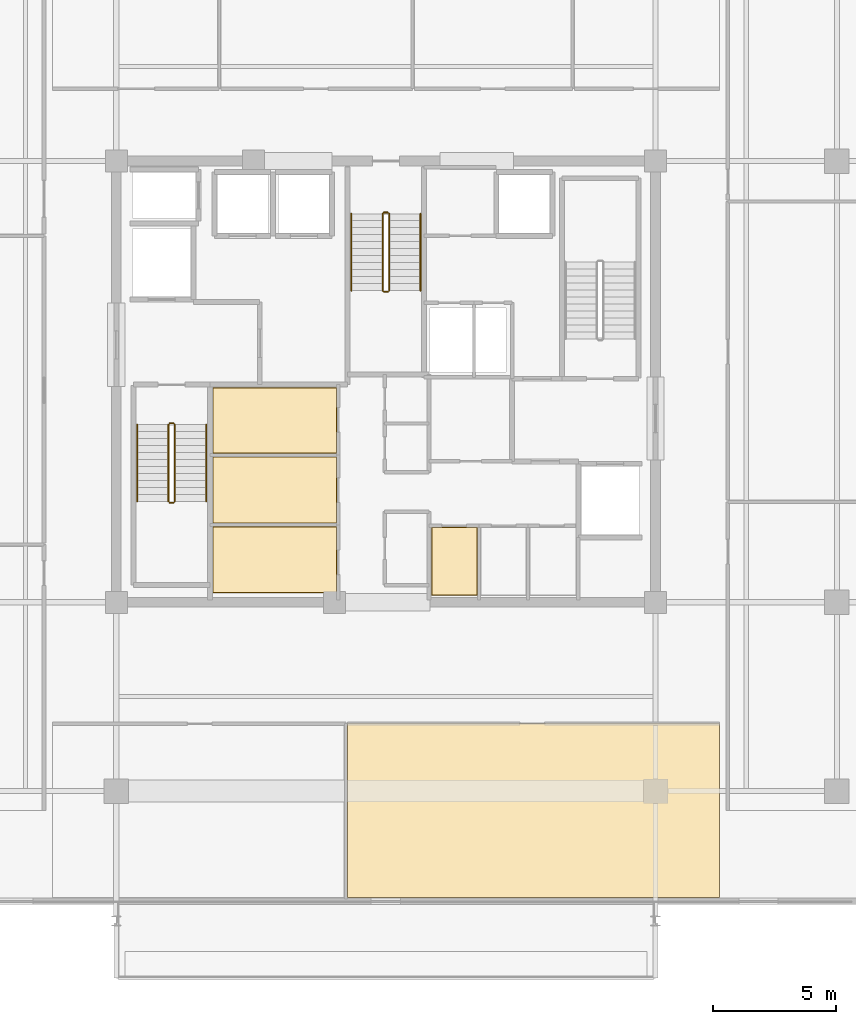
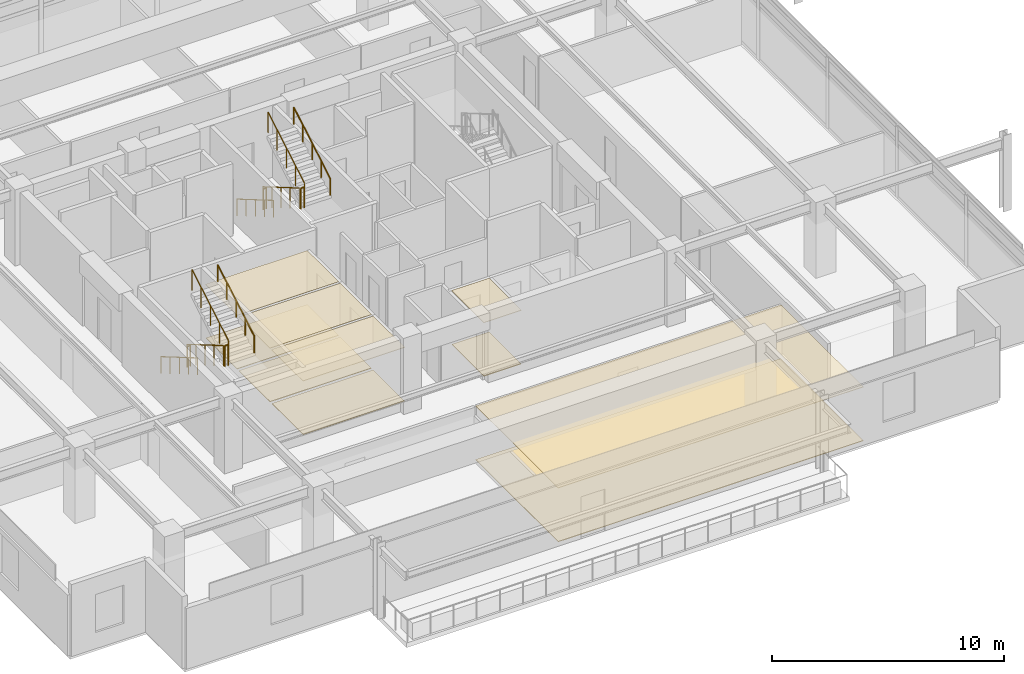
# One storey, part 18 of 20: 12 railings, 10 coverings.
"""IFC4 building model written with IfcOpenShell, lengths in metres."""

from ifc_helpers import new_model, si_unit, direction, frame, origin, origin_2d, place, context, subcontext, project, spatial, polyline, circle, outline, extrude, material, layer, layer_set, type_object, element, save


model = new_model("IFC4")

# Units and contexts
model_context = context("Model", 3, precision=1e-05, world=origin(), true_north=direction((0.0, 1.0)))
body_context = subcontext(model_context, "Body", "Model", "MODEL_VIEW")
ifc_project = project(units=[si_unit("LENGTHUNIT", "METRE"), si_unit("AREAUNIT", "SQUARE_METRE"), si_unit("VOLUMEUNIT", "CUBIC_METRE"), si_unit("PLANEANGLEUNIT", "RADIAN"), si_unit("MASSUNIT", "GRAM", prefix="KILO")], contexts=[model_context])

# Site, building, storey
site_placement = place(None, origin())
site = spatial("IfcSite", under=ifc_project, at=site_placement, CompositionType="ELEMENT")
building_placement = place(site_placement, origin())
building = spatial("IfcBuilding", under=site, at=building_placement, Name="Kovane Verandah Tower", CompositionType="ELEMENT")
storey_placement = place(building_placement, frame((0.0, 0.0, 306.800048828125)))
storey = spatial("IfcBuildingStorey", under=building, at=storey_placement, Name="L71", CompositionType="ELEMENT", Elevation=306.800048828125)

# Coverings
ifc_material_1 = material(Name="Perforated Acoustic Mineral-Fibre Ceiling Tile", Category="gypsum")
ifc_layer_1 = layer(ifc_material_1, 0.02490234375)
ifc_layer_set_1 = layer_set([ifc_layer_1], Name="Perforated Acoustic Mineral-Fibre Ceiling Tile")
covering_type_1 = type_object("IfcCoveringType", Name="CV-CEIL-25", PredefinedType="CEILING", material=ifc_layer_set_1)
covering_1_placement = place(storey_placement, frame((0.0, 0.0, 2.824951171875)))
element("IfcCovering", 1, at=covering_1_placement, inside=storey, type_object=covering_type_1, Name="L71 Project Archive Room Acoustic Ceiling", PredefinedType="CEILING", context=body_context, shape_type="SweptSolid", body=[
    extrude(outline(polyline([(32.93505859375, 18.885009765625), (37.9951171875, 18.885009765625), (37.9951171875, 21.594970703125), (32.93505859375, 21.594970703125), (32.93505859375, 18.885009765625)])), origin(), (0.0, 0.0, 1.0), 0.02490234375),
])
covering_2_placement = place(storey_placement, frame((0.0, 0.0, 2.824951171875)))
element("IfcCovering", 2, at=covering_2_placement, inside=storey, type_object=covering_type_1, Name="L71 First Aid and Wellness Room Acoustic Ceiling", PredefinedType="CEILING", context=body_context, shape_type="SweptSolid", body=[
    extrude(outline(polyline([(32.93505859375, 21.72509765625), (37.9951171875, 21.72509765625), (37.9951171875, 24.43505859375), (32.93505859375, 24.43505859375), (32.93505859375, 21.72509765625)])), origin(), (0.0, 0.0, 1.0), 0.02490234375),
])
covering_3_placement = place(storey_placement, frame((0.0, 0.0, 2.824951171875)))
element("IfcCovering", 3, at=covering_3_placement, inside=storey, type_object=covering_type_1, Name="L71 Tea and Copy Hub Acoustic Ceiling", PredefinedType="CEILING", context=body_context, shape_type="SweptSolid", body=[
    extrude(outline(polyline([(32.93505859375, 24.56494140625), (37.9951171875, 24.56494140625), (37.9951171875, 27.264892578125), (32.93505859375, 27.264892578125), (32.93505859375, 24.56494140625)])), origin(), (0.0, 0.0, 1.0), 0.02490234375),
])
covering_4_placement = place(storey_placement, frame((0.0, 0.0, 2.824951171875)))
element("IfcCovering", 4, at=covering_4_placement, inside=storey, type_object=covering_type_1, Name="L71 Mail and Copy Room Acoustic Ceiling", PredefinedType="CEILING", context=body_context, shape_type="SweptSolid", body=[
    extrude(outline(polyline([(41.864990234375, 18.784912109375), (43.735107421875, 18.784912109375), (43.735107421875, 21.56494140625), (41.864990234375, 21.56494140625), (41.864990234375, 18.784912109375)])), origin(), (0.0, 0.0, 1.0), 0.02490234375),
])
covering_5_placement = place(storey_placement, frame((0.0, 0.0, 2.824951171875)))
element("IfcCovering", 5, at=covering_5_placement, inside=storey, type_object=covering_type_1, Name="L71 Document and Print Room S2 Acoustic Ceiling", PredefinedType="CEILING", context=body_context, shape_type="SweptSolid", body=[
    extrude(outline(polyline([(38.43798828125, 6.449951171875), (53.60009765625, 6.449951171875), (53.60009765625, 13.550048828125), (38.43798828125, 13.550048828125), (38.43798828125, 6.449951171875)])), origin(), (0.0, 0.0, 1.0), 0.02490234375),
])
ifc_material_2 = material(Name="Polished Terrazzo and Raised-Access Carpet Tile Finish", Category="concrete")
ifc_layer_2 = layer(ifc_material_2, 0.030029296875)
ifc_layer_set_2 = layer_set([ifc_layer_2], Name="Polished Terrazzo and Raised-Access Carpet Tile Finish")
covering_type_2 = type_object("IfcCoveringType", Name="CV-FLOR-30", PredefinedType="FLOORING", material=ifc_layer_set_2)
covering_6_placement = place(storey_placement, origin())
element("IfcCovering", 6, at=covering_6_placement, inside=storey, type_object=covering_type_2, Name="L71 Project Archive Room Floor Finish", PredefinedType="FLOORING", context=body_context, shape_type="SweptSolid", body=[
    extrude(outline(polyline([(32.949951171875, 18.89990234375), (37.97998046875, 18.89990234375), (37.97998046875, 21.580078125), (32.949951171875, 21.580078125), (32.949951171875, 18.89990234375)])), origin(), (0.0, 0.0, 1.0), 0.030029296875),
])
covering_7_placement = place(storey_placement, origin())
element("IfcCovering", 7, at=covering_7_placement, inside=storey, type_object=covering_type_2, Name="L71 First Aid and Wellness Room Floor Finish", PredefinedType="FLOORING", context=body_context, shape_type="SweptSolid", body=[
    extrude(outline(polyline([(32.949951171875, 21.739990234375), (37.97998046875, 21.739990234375), (37.97998046875, 24.419921875), (32.949951171875, 24.419921875), (32.949951171875, 21.739990234375)])), origin(), (0.0, 0.0, 1.0), 0.030029296875),
])
covering_8_placement = place(storey_placement, origin())
element("IfcCovering", 8, at=covering_8_placement, inside=storey, type_object=covering_type_2, Name="L71 Tea and Copy Hub Floor Finish", PredefinedType="FLOORING", context=body_context, shape_type="SweptSolid", body=[
    extrude(outline(polyline([(32.949951171875, 24.580078125), (37.97998046875, 24.580078125), (37.97998046875, 27.25), (32.949951171875, 27.25), (32.949951171875, 24.580078125)])), origin(), (0.0, 0.0, 1.0), 0.030029296875),
])
covering_9_placement = place(storey_placement, origin())
element("IfcCovering", 9, at=covering_9_placement, inside=storey, type_object=covering_type_2, Name="L71 Mail and Copy Room Floor Finish", PredefinedType="FLOORING", context=body_context, shape_type="SweptSolid", body=[
    extrude(outline(polyline([(41.8798828125, 18.800048828125), (43.719970703125, 18.800048828125), (43.719970703125, 21.550048828125), (41.8798828125, 21.550048828125), (41.8798828125, 18.800048828125)])), origin(), (0.0, 0.0, 1.0), 0.030029296875),
])
covering_10_placement = place(storey_placement, origin())
element("IfcCovering", 10, at=covering_10_placement, inside=storey, type_object=covering_type_2, Name="L71 Document and Print Room S2 Floor Finish", PredefinedType="FLOORING", context=body_context, shape_type="SweptSolid", body=[
    extrude(outline(polyline([(38.43798828125, 6.449951171875), (53.60009765625, 6.449951171875), (53.60009765625, 13.550048828125), (38.43798828125, 13.550048828125), (38.43798828125, 6.449951171875)])), origin(), (0.0, 0.0, 1.0), 0.030029296875),
])

# Railings
ifc_material_3 = material(Name="Brushed Stainless Steel Handrail", Category="steel")
railing_type_1 = type_object("IfcRailingType", Name="RL-HAND-920", PredefinedType="HANDRAIL", material=ifc_material_3)
railing_1_placement = place(storey_placement, frame((29.85009765625, 25.75, 0.16650390625)))
element("IfcRailing", 11, at=railing_1_placement, inside=storey, type_object=railing_type_1, Name="L71 ST-01 stair handrail 1", PredefinedType="HANDRAIL", context=body_context, shape_type="SweptSolid", body=[
    extrude(circle(Radius=0.02392578125, at=origin_2d()), frame((0.0, 0.0, 0.8759765625), z_axis=(0.0, -0.863210265497, 0.504844567704), x_axis=(1.0, 0.0, 0.0)), (0.0, 0.0, 1.0), 3.6318359375),
    extrude(circle(Radius=0.02099609375, at=origin_2d()), origin(), (0.0, 0.0, 1.0), 0.851806640625),
    extrude(circle(Radius=0.02099609375, at=origin_2d()), frame((0.0, -0.78369140625, 0.45849609375)), (0.0, 0.0, 1.0), 0.851806640625),
    extrude(circle(Radius=0.02099609375, at=origin_2d()), frame((0.0, -1.5673828125, 0.916748046875)), (0.0, 0.0, 1.0), 0.851806640625),
    extrude(circle(Radius=0.02099609375, at=origin_2d()), frame((0.0, -2.351318359375, 1.375)), (0.0, 0.0, 1.0), 0.851806640625),
    extrude(circle(Radius=0.02099609375, at=origin_2d()), frame((0.0, -3.135009765625, 1.83349609375)), (0.0, 0.0, 1.0), 0.851806640625),
])
railing_2_placement = place(storey_placement, frame((32.669921875, 22.614990234375, 2.16650390625)))
element("IfcRailing", 12, at=railing_2_placement, inside=storey, type_object=railing_type_1, Name="L71 ST-01 stair handrail 2", PredefinedType="HANDRAIL", context=body_context, shape_type="SweptSolid", body=[
    extrude(circle(Radius=0.02392578125, at=origin_2d()), frame((0.0, 0.0, 0.8759765625), z_axis=(0.0, 0.863210265497, 0.504844567704), x_axis=(-1.0, 0.0, 0.0)), (0.0, 0.0, 1.0), 3.6318359375),
    extrude(circle(Radius=0.02099609375, at=origin_2d()), origin(), (0.0, 0.0, 1.0), 0.851806640625),
    extrude(circle(Radius=0.02099609375, at=origin_2d()), frame((0.0, 0.78369140625, 0.45849609375)), (0.0, 0.0, 1.0), 0.851806640625),
    extrude(circle(Radius=0.02099609375, at=origin_2d()), frame((0.0, 1.5673828125, 0.916748046875)), (0.0, 0.0, 1.0), 0.851806640625),
    extrude(circle(Radius=0.02099609375, at=origin_2d()), frame((0.0, 2.351318359375, 1.375)), (0.0, 0.0, 1.0), 0.851806640625),
    extrude(circle(Radius=0.02099609375, at=origin_2d()), frame((0.0, 3.135009765625, 1.83349609375)), (0.0, 0.0, 1.0), 0.851806640625),
])
railing_3_placement = place(storey_placement, frame((38.590087890625, 34.35009765625, 0.16650390625)))
element("IfcRailing", 13, at=railing_3_placement, inside=storey, type_object=railing_type_1, Name="L71 ST-03 stair handrail 1", PredefinedType="HANDRAIL", context=body_context, shape_type="SweptSolid", body=[
    extrude(circle(Radius=0.02392578125, at=origin_2d()), frame((0.0, 0.0, 0.8759765625), z_axis=(0.0, -0.863210265497, 0.504844567704), x_axis=(1.0, 0.0, 0.0)), (0.0, 0.0, 1.0), 3.6318359375),
    extrude(circle(Radius=0.02099609375, at=origin_2d()), origin(), (0.0, 0.0, 1.0), 0.851806640625),
    extrude(circle(Radius=0.02099609375, at=origin_2d()), frame((0.0, -0.78369140625, 0.45849609375)), (0.0, 0.0, 1.0), 0.851806640625),
    extrude(circle(Radius=0.02099609375, at=origin_2d()), frame((0.0, -1.5673828125, 0.916748046875)), (0.0, 0.0, 1.0), 0.851806640625),
    extrude(circle(Radius=0.02099609375, at=origin_2d()), frame((0.0, -2.351318359375, 1.375)), (0.0, 0.0, 1.0), 0.851806640625),
    extrude(circle(Radius=0.02099609375, at=origin_2d()), frame((0.0, -3.135009765625, 1.83349609375)), (0.0, 0.0, 1.0), 0.851806640625),
])
railing_4_placement = place(storey_placement, frame((41.409912109375, 31.215087890625, 2.16650390625)))
element("IfcRailing", 14, at=railing_4_placement, inside=storey, type_object=railing_type_1, Name="L71 ST-03 stair handrail 2", PredefinedType="HANDRAIL", context=body_context, shape_type="SweptSolid", body=[
    extrude(circle(Radius=0.02392578125, at=origin_2d()), frame((0.0, 0.0, 0.8759765625), z_axis=(0.0, 0.863210265497, 0.504844567704), x_axis=(-1.0, 0.0, 0.0)), (0.0, 0.0, 1.0), 3.6318359375),
    extrude(circle(Radius=0.02099609375, at=origin_2d()), origin(), (0.0, 0.0, 1.0), 0.851806640625),
    extrude(circle(Radius=0.02099609375, at=origin_2d()), frame((0.0, 0.78369140625, 0.45849609375)), (0.0, 0.0, 1.0), 0.851806640625),
    extrude(circle(Radius=0.02099609375, at=origin_2d()), frame((0.0, 1.5673828125, 0.916748046875)), (0.0, 0.0, 1.0), 0.851806640625),
    extrude(circle(Radius=0.02099609375, at=origin_2d()), frame((0.0, 2.351318359375, 1.375)), (0.0, 0.0, 1.0), 0.851806640625),
    extrude(circle(Radius=0.02099609375, at=origin_2d()), frame((0.0, 3.135009765625, 1.83349609375)), (0.0, 0.0, 1.0), 0.851806640625),
])
ifc_material_4 = material(Name="Painted Steel Stairwell Guardrail", Category="steel")
railing_type_2 = type_object("IfcRailingType", Name="RL-STGUARD-1120", PredefinedType="GUARDRAIL", material=ifc_material_4)
railing_5_placement = place(storey_placement, frame((31.1298828125, 25.75, 0.16650390625)))
element("IfcRailing", 15, at=railing_5_placement, inside=storey, type_object=railing_type_2, Name="L71 ST-01 stair guard 1", PredefinedType="GUARDRAIL", context=body_context, shape_type="SweptSolid", body=[
    extrude(circle(Radius=0.02392578125, at=origin_2d()), frame((0.0, 0.0, 1.076171875), z_axis=(0.0, -0.863210265497, 0.504844567704), x_axis=(1.0, 0.0, 0.0)), (0.0, 0.0, 1.0), 3.6318359375),
    extrude(circle(Radius=0.02099609375, at=origin_2d()), origin(), (0.0, 0.0, 1.0), 1.052001953125),
    extrude(circle(Radius=0.02099609375, at=origin_2d()), frame((0.0, -0.78369140625, 0.45849609375)), (0.0, 0.0, 1.0), 1.052001953125),
    extrude(circle(Radius=0.02099609375, at=origin_2d()), frame((0.0, -1.5673828125, 0.916748046875)), (0.0, 0.0, 1.0), 1.052001953125),
    extrude(circle(Radius=0.02099609375, at=origin_2d()), frame((0.0, -2.351318359375, 1.375)), (0.0, 0.0, 1.0), 1.052001953125),
    extrude(circle(Radius=0.02099609375, at=origin_2d()), frame((0.0, -3.135009765625, 1.83349609375)), (0.0, 0.0, 1.0), 1.052001953125),
])
railing_6_placement = place(storey_placement, frame((31.179931640625, 22.56494140625, 2.0)))
element("IfcRailing", 16, at=railing_6_placement, inside=storey, type_object=railing_type_2, Name="L71 ST-01 stair guard 2", PredefinedType="GUARDRAIL", context=body_context, shape_type="SweptSolid", body=[
    extrude(circle(Radius=0.02392578125, at=origin_2d()), frame((0.0, 0.0, 1.076171875), z_axis=(1.0, 0.0, 0.0), x_axis=(0.0, 1.0, 0.0)), (0.0, 0.0, 1.0), 0.16015625),
    extrude(circle(Radius=0.02099609375, at=origin_2d()), origin(), (0.0, 0.0, 1.0), 1.052001953125),
    extrude(circle(Radius=0.02099609375, at=origin_2d()), frame((0.16015625, 0.0, 0.0)), (0.0, 0.0, 1.0), 1.052001953125),
])
railing_7_placement = place(storey_placement, frame((31.389892578125, 22.614990234375, 2.16650390625)))
element("IfcRailing", 17, at=railing_7_placement, inside=storey, type_object=railing_type_2, Name="L71 ST-01 stair guard 3", PredefinedType="GUARDRAIL", context=body_context, shape_type="SweptSolid", body=[
    extrude(circle(Radius=0.02392578125, at=origin_2d()), frame((0.0, 0.0, 1.076171875), z_axis=(0.0, 0.863210265497, 0.504844567704), x_axis=(-1.0, 0.0, 0.0)), (0.0, 0.0, 1.0), 3.6318359375),
    extrude(circle(Radius=0.02099609375, at=origin_2d()), origin(), (0.0, 0.0, 1.0), 1.052001953125),
    extrude(circle(Radius=0.02099609375, at=origin_2d()), frame((0.0, 0.78369140625, 0.45849609375)), (0.0, 0.0, 1.0), 1.052001953125),
    extrude(circle(Radius=0.02099609375, at=origin_2d()), frame((0.0, 1.5673828125, 0.916748046875)), (0.0, 0.0, 1.0), 1.052001953125),
    extrude(circle(Radius=0.02099609375, at=origin_2d()), frame((0.0, 2.351318359375, 1.375)), (0.0, 0.0, 1.0), 1.052001953125),
    extrude(circle(Radius=0.02099609375, at=origin_2d()), frame((0.0, 3.135009765625, 1.83349609375)), (0.0, 0.0, 1.0), 1.052001953125),
])
railing_8_placement = place(storey_placement, frame((31.179931640625, 25.800048828125, 0.0)))
element("IfcRailing", 18, at=railing_8_placement, inside=storey, type_object=railing_type_2, Name="L71 ST-01 stair guard 4", PredefinedType="GUARDRAIL", context=body_context, shape_type="SweptSolid", body=[
    extrude(circle(Radius=0.02392578125, at=origin_2d()), frame((0.0, 0.0, 1.076171875), z_axis=(1.0, 0.0, 0.0), x_axis=(0.0, 1.0, 0.0)), (0.0, 0.0, 1.0), 0.16015625),
    extrude(circle(Radius=0.02099609375, at=origin_2d()), origin(), (0.0, 0.0, 1.0), 1.052001953125),
    extrude(circle(Radius=0.02099609375, at=origin_2d()), frame((0.16015625, 0.0, 0.0)), (0.0, 0.0, 1.0), 1.052001953125),
])
railing_9_placement = place(storey_placement, frame((39.8701171875, 34.35009765625, 0.16650390625)))
element("IfcRailing", 19, at=railing_9_placement, inside=storey, type_object=railing_type_2, Name="L71 ST-03 stair guard 1", PredefinedType="GUARDRAIL", context=body_context, shape_type="SweptSolid", body=[
    extrude(circle(Radius=0.02392578125, at=origin_2d()), frame((0.0, 0.0, 1.076171875), z_axis=(0.0, -0.863210265497, 0.504844567704), x_axis=(1.0, 0.0, 0.0)), (0.0, 0.0, 1.0), 3.6318359375),
    extrude(circle(Radius=0.02099609375, at=origin_2d()), origin(), (0.0, 0.0, 1.0), 1.052001953125),
    extrude(circle(Radius=0.02099609375, at=origin_2d()), frame((0.0, -0.78369140625, 0.45849609375)), (0.0, 0.0, 1.0), 1.052001953125),
    extrude(circle(Radius=0.02099609375, at=origin_2d()), frame((0.0, -1.5673828125, 0.916748046875)), (0.0, 0.0, 1.0), 1.052001953125),
    extrude(circle(Radius=0.02099609375, at=origin_2d()), frame((0.0, -2.351318359375, 1.375)), (0.0, 0.0, 1.0), 1.052001953125),
    extrude(circle(Radius=0.02099609375, at=origin_2d()), frame((0.0, -3.135009765625, 1.83349609375)), (0.0, 0.0, 1.0), 1.052001953125),
])
railing_10_placement = place(storey_placement, frame((39.919921875, 31.1650390625, 2.0)))
element("IfcRailing", 20, at=railing_10_placement, inside=storey, type_object=railing_type_2, Name="L71 ST-03 stair guard 2", PredefinedType="GUARDRAIL", context=body_context, shape_type="SweptSolid", body=[
    extrude(circle(Radius=0.02392578125, at=origin_2d()), frame((0.0, 0.0, 1.076171875), z_axis=(1.0, 0.0, 0.0), x_axis=(0.0, 1.0, 0.0)), (0.0, 0.0, 1.0), 0.16015625),
    extrude(circle(Radius=0.02099609375, at=origin_2d()), origin(), (0.0, 0.0, 1.0), 1.052001953125),
    extrude(circle(Radius=0.02099609375, at=origin_2d()), frame((0.16015625, 0.0, 0.0)), (0.0, 0.0, 1.0), 1.052001953125),
])
railing_11_placement = place(storey_placement, frame((40.1298828125, 31.215087890625, 2.16650390625)))
element("IfcRailing", 21, at=railing_11_placement, inside=storey, type_object=railing_type_2, Name="L71 ST-03 stair guard 3", PredefinedType="GUARDRAIL", context=body_context, shape_type="SweptSolid", body=[
    extrude(circle(Radius=0.02392578125, at=origin_2d()), frame((0.0, 0.0, 1.076171875), z_axis=(0.0, 0.863210265497, 0.504844567704), x_axis=(-1.0, 0.0, 0.0)), (0.0, 0.0, 1.0), 3.6318359375),
    extrude(circle(Radius=0.02099609375, at=origin_2d()), origin(), (0.0, 0.0, 1.0), 1.052001953125),
    extrude(circle(Radius=0.02099609375, at=origin_2d()), frame((0.0, 0.78369140625, 0.45849609375)), (0.0, 0.0, 1.0), 1.052001953125),
    extrude(circle(Radius=0.02099609375, at=origin_2d()), frame((0.0, 1.5673828125, 0.916748046875)), (0.0, 0.0, 1.0), 1.052001953125),
    extrude(circle(Radius=0.02099609375, at=origin_2d()), frame((0.0, 2.351318359375, 1.375)), (0.0, 0.0, 1.0), 1.052001953125),
    extrude(circle(Radius=0.02099609375, at=origin_2d()), frame((0.0, 3.135009765625, 1.83349609375)), (0.0, 0.0, 1.0), 1.052001953125),
])
railing_12_placement = place(storey_placement, frame((39.919921875, 34.39990234375, 0.0)))
element("IfcRailing", 22, at=railing_12_placement, inside=storey, type_object=railing_type_2, Name="L71 ST-03 stair guard 4", PredefinedType="GUARDRAIL", context=body_context, shape_type="SweptSolid", body=[
    extrude(circle(Radius=0.02392578125, at=origin_2d()), frame((0.0, 0.0, 1.076171875), z_axis=(1.0, 0.0, 0.0), x_axis=(0.0, 1.0, 0.0)), (0.0, 0.0, 1.0), 0.16015625),
    extrude(circle(Radius=0.02099609375, at=origin_2d()), origin(), (0.0, 0.0, 1.0), 1.052001953125),
    extrude(circle(Radius=0.02099609375, at=origin_2d()), frame((0.16015625, 0.0, 0.0)), (0.0, 0.0, 1.0), 1.052001953125),
])

save(model, "model.ifc")
